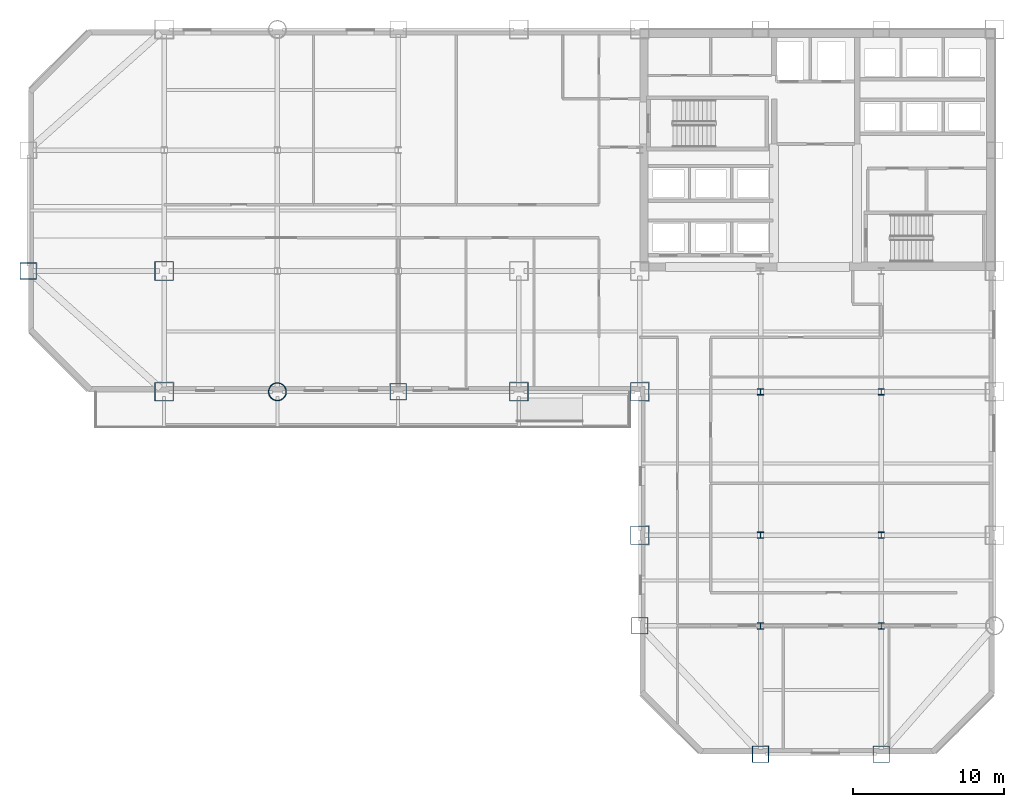
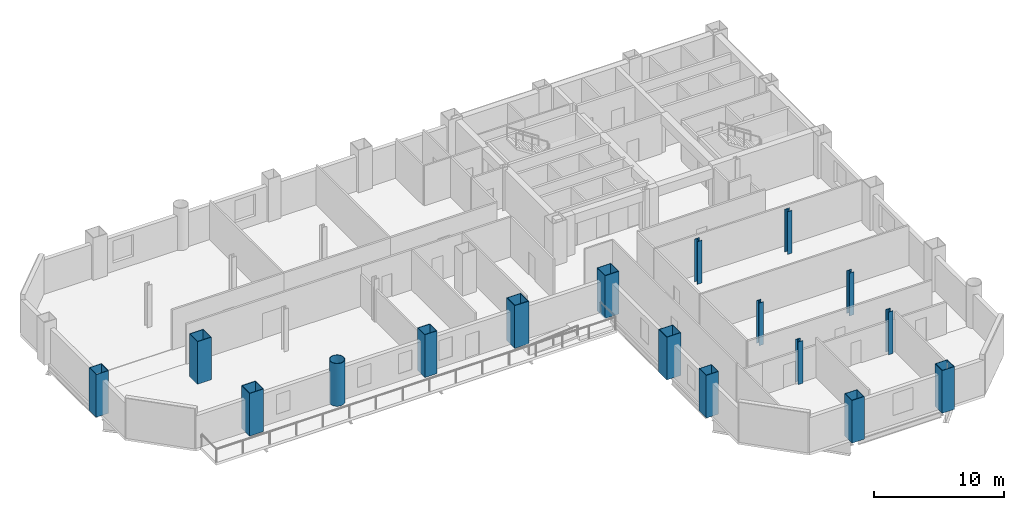
# One storey, part 1 of 9: 17 columns.
"""IFC4 building model written with IfcOpenShell, lengths in metres."""

from ifc_helpers import new_model, si_unit, direction, frame, origin, origin_2d, place, context, subcontext, project, spatial, hollow_rectangle, hollow_circle, i_section, extrude, material, material_profile, profile_set, type_object, element, save


model = new_model("IFC4")

# Units and contexts
model_context = context("Model", 3, precision=1e-05, world=origin(), true_north=direction((0.0, 1.0)))
body_context = subcontext(model_context, "Body", "Model", "MODEL_VIEW")
ifc_project = project(units=[si_unit("LENGTHUNIT", "METRE"), si_unit("AREAUNIT", "SQUARE_METRE"), si_unit("VOLUMEUNIT", "CUBIC_METRE"), si_unit("PLANEANGLEUNIT", "RADIAN"), si_unit("MASSUNIT", "GRAM", prefix="KILO")], contexts=[model_context])

# Site, building, storey
site_placement = place(None, origin())
site = spatial("IfcSite", under=ifc_project, at=site_placement, CompositionType="ELEMENT")
building_placement = place(site_placement, origin())
building = spatial("IfcBuilding", under=site, at=building_placement, Name="Qianrong Seaharbour Tower", CompositionType="ELEMENT")
storey_placement = place(building_placement, frame((0.0, 0.0, 100.199951171875)))
storey = spatial("IfcBuildingStorey", under=building, at=storey_placement, Name="L24", CompositionType="ELEMENT", Elevation=100.199951171875)

# Columns
ifc_material = material(Name="Structural steel SN490B", Category="steel")
ifc_material_profile_1 = material_profile(ifc_material, hollow_rectangle(XDim=1.25, YDim=1.25, WallThickness=0.044921875, at=origin_2d()), Name="BOX1250x1250x45")
ifc_profile_set_1 = profile_set([ifc_material_profile_1], Name="Structural steel SN490B")
column_type_1 = type_object("IfcColumnType", Name="COL-CFT-1250", PredefinedType="COLUMN", material=ifc_profile_set_1)
for number, where, z_axis, x_axis, name in (
    (1, (9.0, 28.0, 0.0), (0.0, 0.0, 1.0), (1.0, 0.0, 0.0), "L24 Column MC-2 at G2/GE"),
    (2, (9.0, 36.0, 0.0), (0.0, 0.0, 1.0), (1.0, 0.0, 0.0), "L24 Column MC-2 at G2/GF"),
    (3, (32.5, 28.0, 0.0), (0.0, 0.0, 1.0), (1.0, 0.0, 0.0), "L24 Column MC-2 at G5/GE"),
    (4, (40.5, 18.5, 0.0), (0.0, 0.0, 1.0), (1.0, 0.0, 0.0), "L24 Column MC-2 at G6/GD"),
    (5, (40.5, 28.0, 0.0), (0.0, 0.0, 1.0), (1.0, 0.0, 0.0), "L24 Column MC-2 at G6/GE"),
):
    element("IfcColumn", number, at=place(storey_placement, frame(where, z_axis=z_axis, x_axis=x_axis)), inside=storey, type_object=column_type_1, Name=name, PredefinedType="COLUMN", context=body_context, shape_type="SweptSolid", body=[
        extrude(hollow_rectangle(XDim=1.25, YDim=1.25, WallThickness=0.044921875, at=origin_2d()), origin(), (0.0, 0.0, 1.0), 4.0),
    ])
ifc_material_profile_2 = material_profile(ifc_material, hollow_circle(Radius=0.60009765625, WallThickness=0.0400390625, at=origin_2d()), Name="CHS1200x40")
ifc_profile_set_2 = profile_set([ifc_material_profile_2], Name="Structural steel SN490B")
column_type_2 = type_object("IfcColumnType", Name="COL-CHS-1200", PredefinedType="COLUMN", material=ifc_profile_set_2)
column_placement = place(storey_placement, frame((16.5, 28.0, 0.0), z_axis=(0.0, 0.0, 1.0), x_axis=(1.0, 0.0, 0.0)))
element("IfcColumn", 6, at=column_placement, inside=storey, type_object=column_type_2, Name="L24 Column CC-1 at G3/GE", PredefinedType="COLUMN", context=body_context, shape_type="SweptSolid", body=[
    extrude(hollow_circle(Radius=0.60009765625, WallThickness=0.0400390625, at=origin_2d()), origin(), (0.0, 0.0, 1.0), 4.0),
])
ifc_material_profile_3 = material_profile(ifc_material, i_section(OverallWidth=0.406982421875, OverallDepth=0.427978515625, WebThickness=0.02001953125, FlangeThickness=0.034912109375, FilletRadius=0.02197265625, at=origin_2d()), Name="H428x407x20x35")
ifc_profile_set_3 = profile_set([ifc_material_profile_3], Name="Structural steel SN490B")
column_type_3 = type_object("IfcColumnType", Name="COL-INT-H428", PredefinedType="COLUMN", material=ifc_profile_set_3)
for number, where, z_axis, x_axis, name in (
    (7, (48.5, 12.5, 0.0), (0.0, 0.0, 1.0), (1.0, 0.0, 0.0), "L24 Column IC-2 at G7/GC"),
    (8, (48.5, 18.5, 0.0), (0.0, 0.0, 1.0), (1.0, 0.0, 0.0), "L24 Column IC-2 at G7/GD"),
    (9, (48.5, 28.0, 0.0), (0.0, 0.0, 1.0), (1.0, 0.0, 0.0), "L24 Column IC-2 at G7/GE"),
    (10, (56.5, 12.5, 0.0), (0.0, 0.0, 1.0), (1.0, 0.0, 0.0), "L24 Column IC-2 at G8/GC"),
    (11, (56.5, 18.5, 0.0), (0.0, 0.0, 1.0), (1.0, 0.0, 0.0), "L24 Column IC-2 at G8/GD"),
    (12, (56.5, 28.0, 0.0), (0.0, 0.0, 1.0), (1.0, 0.0, 0.0), "L24 Column IC-2 at G8/GE"),
):
    element("IfcColumn", number, at=place(storey_placement, frame(where, z_axis=z_axis, x_axis=x_axis)), inside=storey, type_object=column_type_3, Name=name, PredefinedType="COLUMN", context=body_context, shape_type="SweptSolid", body=[
        extrude(i_section(OverallWidth=0.406982421875, OverallDepth=0.427978515625, WebThickness=0.02001953125, FlangeThickness=0.034912109375, FilletRadius=0.02197265625, at=origin_2d()), origin(), (0.0, 0.0, 1.0), 4.0),
    ])
ifc_material_profile_4 = material_profile(ifc_material, hollow_rectangle(XDim=1.10009765625, YDim=1.10009765625, WallThickness=0.0400390625, at=origin_2d()), Name="BOX1100x1100x40")
ifc_profile_set_4 = profile_set([ifc_material_profile_4], Name="Structural steel SN490B")
column_type_4 = type_object("IfcColumnType", Name="COL-PER-1100", PredefinedType="COLUMN", material=ifc_profile_set_4)
for number, where, z_axis, x_axis, name in (
    (13, (0.0, 36.0, 0.0), (0.0, 0.0, 1.0), (1.0, 0.0, 0.0), "L24 Column PC-1 at G1/GF"),
    (14, (24.5, 28.0, 0.0), (0.0, 0.0, 1.0), (1.0, 0.0, 0.0), "L24 Column PC-1 at G4/GE"),
    (15, (40.5, 12.5, 0.0), (0.0, 0.0, 1.0), (1.0, 0.0, 0.0), "L24 Column PC-1 at G6/GC"),
    (16, (48.5, 4.0, 0.0), (0.0, 0.0, 1.0), (1.0, 0.0, 0.0), "L24 Column PC-1 at G7/GB"),
    (17, (56.5, 4.0, 0.0), (0.0, 0.0, 1.0), (1.0, 0.0, 0.0), "L24 Column PC-1 at G8/GB"),
):
    element("IfcColumn", number, at=place(storey_placement, frame(where, z_axis=z_axis, x_axis=x_axis)), inside=storey, type_object=column_type_4, Name=name, PredefinedType="COLUMN", context=body_context, shape_type="SweptSolid", body=[
        extrude(hollow_rectangle(XDim=1.10009765625, YDim=1.10009765625, WallThickness=0.0400390625, at=origin_2d()), origin(), (0.0, 0.0, 1.0), 4.0),
    ])

save(model, "model.ifc")
